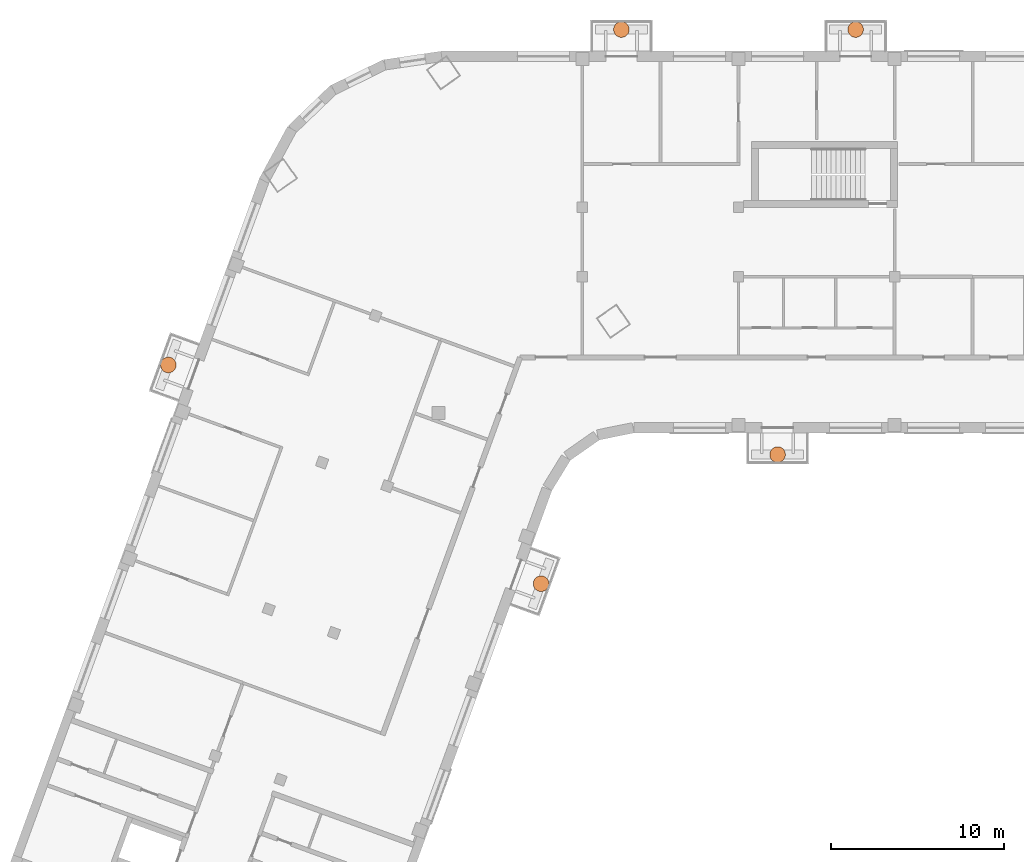
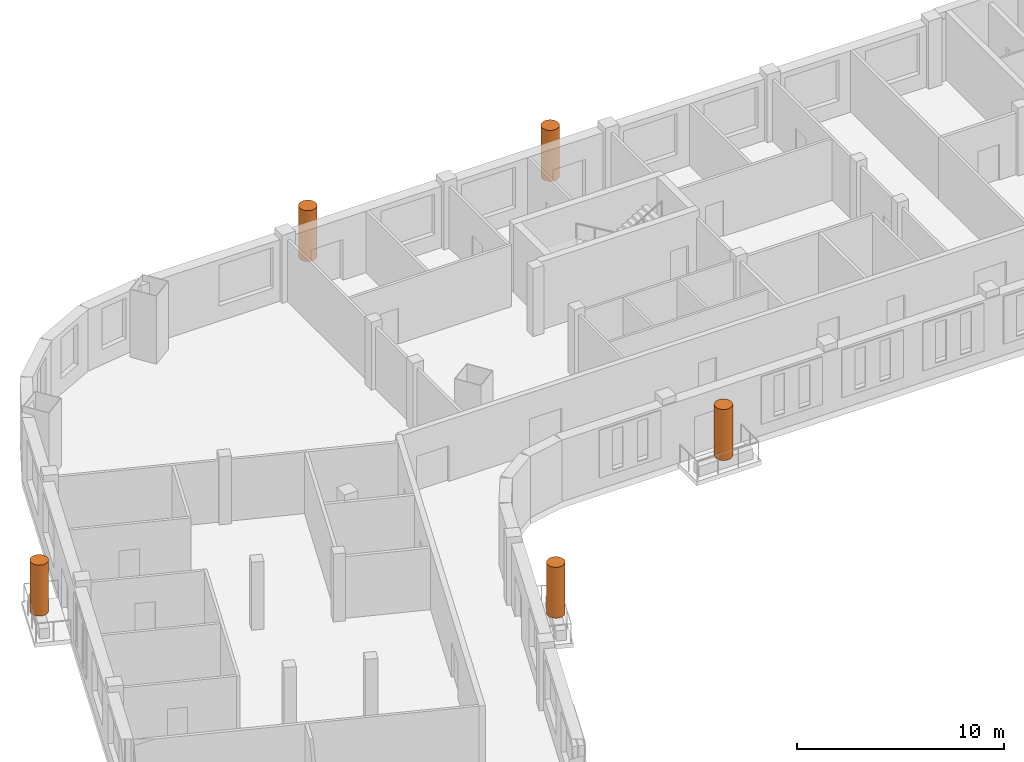
# One storey, part 10 of 10: 5 geographic elements.
"""IFC4 building model written with IfcOpenShell, lengths in metres."""

from ifc_helpers import new_model, si_unit, direction, frame, origin, origin_2d, place, context, subcontext, project, spatial, circle, extrude, element, save


model = new_model("IFC4")

# Units and contexts
model_context = context("Model", 3, precision=1e-05, world=origin(), true_north=direction((0.0, 1.0)))
body_context = subcontext(model_context, "Body", "Model", "MODEL_VIEW")
ifc_project = project(units=[si_unit("LENGTHUNIT", "METRE"), si_unit("AREAUNIT", "SQUARE_METRE"), si_unit("VOLUMEUNIT", "CUBIC_METRE"), si_unit("PLANEANGLEUNIT", "RADIAN"), si_unit("MASSUNIT", "GRAM", prefix="KILO")], contexts=[model_context])

# Site, building, storey
site_placement = place(None, origin())
site = spatial("IfcSite", under=ifc_project, at=site_placement, CompositionType="ELEMENT")
building_placement = place(site_placement, origin())
building = spatial("IfcBuilding", under=site, at=building_placement, Name="Skarvind Civic Tower", CompositionType="ELEMENT")
storey_placement = place(building_placement, frame((0.0, 0.0, 228.0)))
storey = spatial("IfcBuildingStorey", under=building, at=storey_placement, Name="L54", CompositionType="ELEMENT", Elevation=228.0)

# Geographic elements
for number, where, z_axis, x_axis, name in (
    (1, (51.867919921875, 108.305419921875, 0.60009765625), (0.0, 0.0, 1.0), (1.0, 0.0, 0.0), "TREE BALCONY TREE"),
    (2, (65.5, 115.75, 0.60009765625), (0.0, 0.0, 1.0), (1.0, 0.0, 0.0), "TREE BALCONY TREE"),
    (3, (56.5, 140.25, 0.60009765625), (0.0, 0.0, 1.0), (1.0, 0.0, 0.0), "TREE BALCONY TREE"),
    (4, (70.0, 140.25, 0.60009765625), (0.0, 0.0, 1.0), (1.0, 0.0, 0.0), "TREE BALCONY TREE"),
    (5, (30.384521484375, 120.91357421875, 0.60009765625), (0.0, 0.0, 1.0), (1.0, 0.0, 0.0), "TREE BALCONY TREE"),
):
    element("IfcGeographicElement", number, at=place(storey_placement, frame(where, z_axis=z_axis, x_axis=x_axis)), inside=storey, Name=name, ObjectType="TREE", PredefinedType="USERDEFINED", context=body_context, shape_type="SweptSolid", body=[
        extrude(circle(Radius=0.449951171875, at=origin_2d()), origin(), (0.0, 0.0, 1.0), 3.0),
    ])

save(model, "model.ifc")
